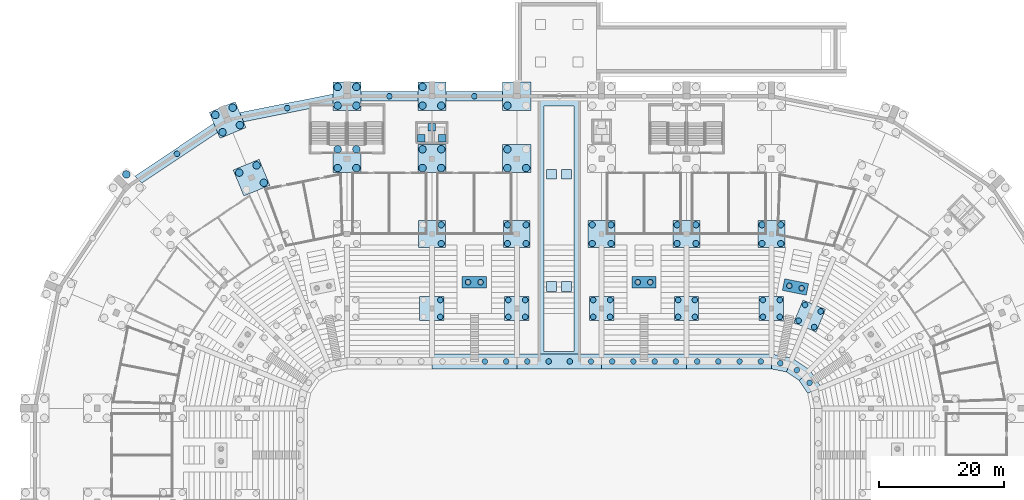
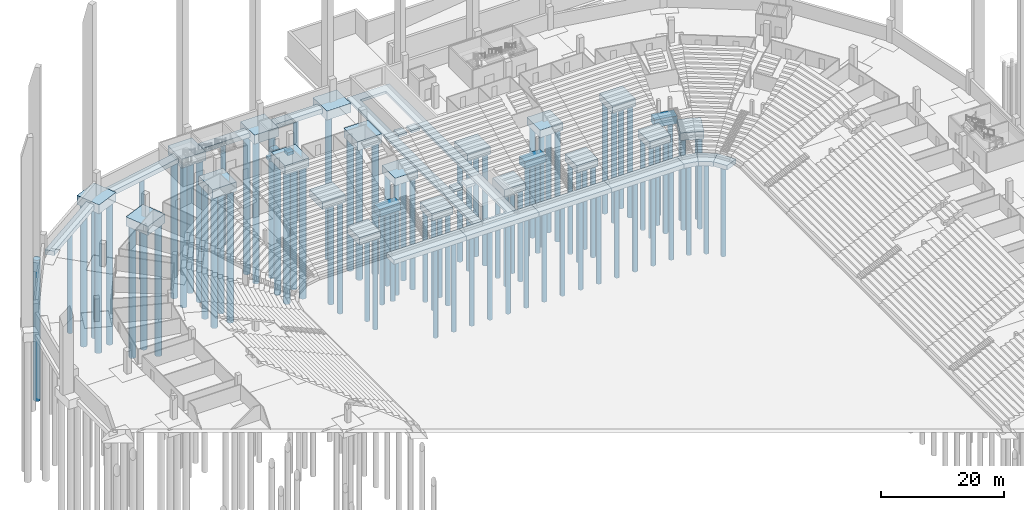
# One storey, part 7 of 115: 94 piles, 41 footings.
"""IFC4 building model written with IfcOpenShell, lengths in metres."""

from ifc_helpers import new_model, si_unit, direction, frame, origin, origin_2d, place, context, subcontext, project, spatial, polyline, rectangle, circle, outline, extrude, material, layer, layer_set, material_profile, profile_set, type_object, element, save


model = new_model("IFC4")

# Units and contexts
model_context = context("Model", 3, precision=1e-05, world=origin(), true_north=direction((0.0, 1.0)))
body_context = subcontext(model_context, "Body", "Model", "MODEL_VIEW")
ifc_project = project(units=[si_unit("LENGTHUNIT", "METRE"), si_unit("AREAUNIT", "SQUARE_METRE"), si_unit("VOLUMEUNIT", "CUBIC_METRE"), si_unit("PLANEANGLEUNIT", "RADIAN"), si_unit("MASSUNIT", "GRAM", prefix="KILO")], contexts=[model_context])

# Site, building, storey
site_placement = place(None, origin())
site = spatial("IfcSite", under=ifc_project, at=site_placement, CompositionType="ELEMENT")
building_placement = place(site_placement, origin())
building = spatial("IfcBuilding", under=site, at=building_placement, Name="Ogive Plaza Stadium", CompositionType="ELEMENT")
storey_placement = place(building_placement, frame((0.0, 0.0, -4.5)))
storey = spatial("IfcBuildingStorey", under=building, at=storey_placement, Name="B1", CompositionType="ELEMENT", Elevation=-4.5)

# Piles
ifc_material_1 = material(Name="Concrete C40/50", Category="concrete")
ifc_material_profile_1 = material_profile(ifc_material_1, circle(Radius=0.5, at=origin_2d()), Name="RC D1000")
ifc_profile_set_1 = profile_set([ifc_material_profile_1], Name="Concrete C40/50")
pile_type_1 = type_object("IfcPileType", Name="Bored pile D1000", PredefinedType="BORED", material=ifc_profile_set_1)
for number, where, z_axis, x_axis, name in (
    (1, (-18.89990234375, 78.89990234375, -1.5), (0.0, 0.0, -1.0), (1.0, 0.0, 0.0), "Bored pile F3:R33 1"),
    (2, (-18.89990234375, 81.89990234375, -1.5), (0.0, 0.0, -1.0), (1.0, 0.0, 0.0), "Bored pile F3:R33 3"),
    (3, (-5.300048828125, 78.89990234375, -1.5), (0.0, 0.0, -1.0), (1.0, 0.0, 0.0), "Bored pile F3:R34 1"),
    (4, (-8.300048828125, 78.89990234375, -1.5), (0.0, 0.0, -1.0), (1.0, 0.0, 0.0), "Bored pile F3:R34 2"),
    (5, (-5.300048828125, 81.89990234375, -1.5), (0.0, 0.0, -1.0), (1.0, 0.0, 0.0), "Bored pile F3:R34 3"),
    (6, (-8.300048828125, 81.89990234375, -1.5), (0.0, 0.0, -1.0), (1.0, 0.0, 0.0), "Bored pile F3:R34 4"),
    (7, (8.300048828125, 78.89990234375, -1.5), (0.0, 0.0, -1.0), (1.0, 0.0, 0.0), "Bored pile F3:R35 1"),
    (8, (5.300048828125, 78.89990234375, -1.5), (0.0, 0.0, -1.0), (1.0, 0.0, 0.0), "Bored pile F3:R35 2"),
    (9, (8.300048828125, 81.89990234375, -1.5), (0.0, 0.0, -1.0), (1.0, 0.0, 0.0), "Bored pile F3:R35 3"),
    (10, (5.300048828125, 81.89990234375, -1.5), (0.0, 0.0, -1.0), (1.0, 0.0, 0.0), "Bored pile F3:R35 4"),
    (11, (21.89990234375, 78.89990234375, -1.5), (0.0, 0.0, -1.0), (1.0, 0.0, 0.0), "Bored pile F3:R36 1"),
    (12, (18.89990234375, 78.89990234375, -1.5), (0.0, 0.0, -1.0), (1.0, 0.0, 0.0), "Bored pile F3:R36 2"),
    (13, (21.89990234375, 81.89990234375, -1.5), (0.0, 0.0, -1.0), (1.0, 0.0, 0.0), "Bored pile F3:R36 3"),
    (14, (18.89990234375, 81.89990234375, -1.5), (0.0, 0.0, -1.0), (1.0, 0.0, 0.0), "Bored pile F3:R36 4"),
    (15, (35.5, 78.89990234375, -1.5), (0.0, 0.0, -1.0), (1.0, 0.0, 0.0), "Bored pile F3:R37 1"),
    (16, (32.5, 78.89990234375, -1.5), (0.0, 0.0, -1.0), (1.0, 0.0, 0.0), "Bored pile F3:R37 2"),
    (17, (35.5, 81.89990234375, -1.5), (0.0, 0.0, -1.0), (1.0, 0.0, 0.0), "Bored pile F3:R37 3"),
    (18, (32.5, 81.89990234375, -1.5), (0.0, 0.0, -1.0), (1.0, 0.0, 0.0), "Bored pile F3:R37 4"),
):
    element("IfcPile", number, at=place(storey_placement, frame(where, z_axis=z_axis, x_axis=x_axis)), inside=storey, type_object=pile_type_1, Name=name, PredefinedType="BORED", context=body_context, shape_type="SweptSolid", body=[
        extrude(circle(Radius=0.5, at=origin_2d()), origin(), (0.0, 0.0, 1.0), 22.0),
    ])
ifc_material_2 = material(Name="Concrete C40/50", Category="concrete")
ifc_material_profile_2 = material_profile(ifc_material_2, circle(Radius=0.60009765625, at=origin_2d()), Name="RC D1200")
ifc_profile_set_2 = profile_set([ifc_material_profile_2], Name="Concrete C40/50")
pile_type_2 = type_object("IfcPileType", Name="Bored pile D1200", PredefinedType="BORED", material=ifc_profile_set_2)
pile_1_placement = place(storey_placement, frame((-69.355224609375, 89.9765625, -1.800048828125), z_axis=(0.0, 0.0, -1.0), x_axis=(1.0, 0.0, 0.0)))
element("IfcPile", 19, at=pile_1_placement, inside=storey, type_object=pile_type_2, Name="Bored pile F5:R30 3", PredefinedType="BORED", context=body_context, shape_type="SweptSolid", body=[
    extrude(circle(Radius=0.60009765625, at=origin_2d()), origin(), (0.0, 0.0, 1.0), 28.0),
])
for number, where, z_axis, x_axis, name in (
    (20, (-47.347412109375, 88.643310546875, -1.800048828125), (0.0, 0.0, -1.0), (1.0, 0.0, 0.0), "Bored pile F4:R31 1"),
    (21, (-48.49560546875, 91.4150390625, -1.800048828125), (0.0, 0.0, -1.0), (1.0, 0.0, 0.0), "Bored pile F4:R31 3"),
    (22, (-51.26708984375, 90.26708984375, -1.800048828125), (0.0, 0.0, -1.0), (1.0, 0.0, 0.0), "Bored pile F4:R31 4"),
):
    element("IfcPile", number, at=place(storey_placement, frame(where, z_axis=z_axis, x_axis=x_axis)), inside=storey, type_object=pile_type_2, Name=name, PredefinedType="BORED", context=body_context, shape_type="SweptSolid", body=[
        extrude(circle(Radius=0.60009765625, at=origin_2d()), origin(), (0.0, 0.0, 1.0), 26.0),
    ])
for number, where, z_axis, x_axis, name in (
    (23, (-51.17431640625, 97.882080078125, -1.800048828125), (0.0, 0.0, -1.0), (1.0, 0.0, 0.0), "Bored pile F5:R31 1"),
    (24, (-53.946044921875, 96.734130859375, -1.800048828125), (0.0, 0.0, -1.0), (1.0, 0.0, 0.0), "Bored pile F5:R31 2"),
    (25, (-52.322265625, 100.65380859375, -1.800048828125), (0.0, 0.0, -1.0), (1.0, 0.0, 0.0), "Bored pile F5:R31 3"),
    (26, (-55.093994140625, 99.505859375, -1.800048828125), (0.0, 0.0, -1.0), (1.0, 0.0, 0.0), "Bored pile F5:R31 4"),
):
    element("IfcPile", number, at=place(storey_placement, frame(where, z_axis=z_axis, x_axis=x_axis)), inside=storey, type_object=pile_type_2, Name=name, PredefinedType="BORED", context=body_context, shape_type="SweptSolid", body=[
        extrude(circle(Radius=0.60009765625, at=origin_2d()), origin(), (0.0, 0.0, 1.0), 28.0),
    ])
for number, where, z_axis, x_axis, name in (
    (27, (-32.5, 91.0, -1.800048828125), (0.0, 0.0, -1.0), (1.0, 0.0, 0.0), "Bored pile F4:R32 1"),
    (28, (-35.5, 91.0, -1.800048828125), (0.0, 0.0, -1.0), (1.0, 0.0, 0.0), "Bored pile F4:R32 2"),
    (29, (-32.5, 94.0, -1.800048828125), (0.0, 0.0, -1.0), (1.0, 0.0, 0.0), "Bored pile F4:R32 3"),
    (30, (-35.5, 94.0, -1.800048828125), (0.0, 0.0, -1.0), (1.0, 0.0, 0.0), "Bored pile F4:R32 4"),
):
    element("IfcPile", number, at=place(storey_placement, frame(where, z_axis=z_axis, x_axis=x_axis)), inside=storey, type_object=pile_type_2, Name=name, PredefinedType="BORED", context=body_context, shape_type="SweptSolid", body=[
        extrude(circle(Radius=0.60009765625, at=origin_2d()), origin(), (0.0, 0.0, 1.0), 26.0),
    ])
for number, where, z_axis, x_axis, name in (
    (31, (-32.5, 101.0, -1.800048828125), (0.0, 0.0, -1.0), (1.0, 0.0, 0.0), "Bored pile F5:R32 1"),
    (32, (-35.5, 101.0, -1.800048828125), (0.0, 0.0, -1.0), (1.0, 0.0, 0.0), "Bored pile F5:R32 2"),
    (33, (-32.5, 104.0, -1.800048828125), (0.0, 0.0, -1.0), (1.0, 0.0, 0.0), "Bored pile F5:R32 3"),
    (34, (-35.5, 104.0, -1.800048828125), (0.0, 0.0, -1.0), (1.0, 0.0, 0.0), "Bored pile F5:R32 4"),
):
    element("IfcPile", number, at=place(storey_placement, frame(where, z_axis=z_axis, x_axis=x_axis)), inside=storey, type_object=pile_type_2, Name=name, PredefinedType="BORED", context=body_context, shape_type="SweptSolid", body=[
        extrude(circle(Radius=0.60009765625, at=origin_2d()), origin(), (0.0, 0.0, 1.0), 28.0),
    ])
for number, where, z_axis, x_axis, name in (
    (35, (-18.89990234375, 91.0, -1.800048828125), (0.0, 0.0, -1.0), (1.0, 0.0, 0.0), "Bored pile F4:R33 1"),
    (36, (-21.89990234375, 91.0, -1.800048828125), (0.0, 0.0, -1.0), (1.0, 0.0, 0.0), "Bored pile F4:R33 2"),
    (37, (-18.89990234375, 94.0, -1.800048828125), (0.0, 0.0, -1.0), (1.0, 0.0, 0.0), "Bored pile F4:R33 3"),
    (38, (-21.89990234375, 94.0, -1.800048828125), (0.0, 0.0, -1.0), (1.0, 0.0, 0.0), "Bored pile F4:R33 4"),
):
    element("IfcPile", number, at=place(storey_placement, frame(where, z_axis=z_axis, x_axis=x_axis)), inside=storey, type_object=pile_type_2, Name=name, PredefinedType="BORED", context=body_context, shape_type="SweptSolid", body=[
        extrude(circle(Radius=0.60009765625, at=origin_2d()), origin(), (0.0, 0.0, 1.0), 26.0),
    ])
for number, where, z_axis, x_axis, name in (
    (39, (-18.89990234375, 101.0, -1.800048828125), (0.0, 0.0, -1.0), (1.0, 0.0, 0.0), "Bored pile F5:R33 1"),
    (40, (-21.89990234375, 101.0, -1.800048828125), (0.0, 0.0, -1.0), (1.0, 0.0, 0.0), "Bored pile F5:R33 2"),
    (41, (-21.89990234375, 104.0, -1.800048828125), (0.0, 0.0, -1.0), (1.0, 0.0, 0.0), "Bored pile F5:R33 4"),
):
    element("IfcPile", number, at=place(storey_placement, frame(where, z_axis=z_axis, x_axis=x_axis)), inside=storey, type_object=pile_type_2, Name=name, PredefinedType="BORED", context=body_context, shape_type="SweptSolid", body=[
        extrude(circle(Radius=0.60009765625, at=origin_2d()), origin(), (0.0, 0.0, 1.0), 28.0),
    ])
for number, where, z_axis, x_axis, name in (
    (42, (-5.300048828125, 91.0, -1.800048828125), (0.0, 0.0, -1.0), (1.0, 0.0, 0.0), "Bored pile F4:R34 1"),
    (43, (-8.300048828125, 91.0, -1.800048828125), (0.0, 0.0, -1.0), (1.0, 0.0, 0.0), "Bored pile F4:R34 2"),
    (44, (-8.300048828125, 94.0, -1.800048828125), (0.0, 0.0, -1.0), (1.0, 0.0, 0.0), "Bored pile F4:R34 4"),
):
    element("IfcPile", number, at=place(storey_placement, frame(where, z_axis=z_axis, x_axis=x_axis)), inside=storey, type_object=pile_type_2, Name=name, PredefinedType="BORED", context=body_context, shape_type="SweptSolid", body=[
        extrude(circle(Radius=0.60009765625, at=origin_2d()), origin(), (0.0, 0.0, 1.0), 26.0),
    ])
pile_2_placement = place(storey_placement, frame((-8.300048828125, 101.0, -1.800048828125), z_axis=(0.0, 0.0, -1.0), x_axis=(1.0, 0.0, 0.0)))
element("IfcPile", 45, at=pile_2_placement, inside=storey, type_object=pile_type_2, Name="Bored pile F5:R34 2", PredefinedType="BORED", context=body_context, shape_type="SweptSolid", body=[
    extrude(circle(Radius=0.60009765625, at=origin_2d()), origin(), (0.0, 0.0, 1.0), 28.0),
])
ifc_material_3 = material(Name="Concrete C40/50", Category="concrete")
ifc_material_profile_3 = material_profile(ifc_material_3, circle(Radius=0.449951171875, at=origin_2d()), Name="RC D900")
ifc_profile_set_3 = profile_set([ifc_material_profile_3], Name="Concrete C40/50")
pile_type_3 = type_object("IfcPileType", Name="Bored pile D900", PredefinedType="BORED", material=ifc_profile_set_3)
for number, where, z_axis, x_axis, name in (
    (46, (-19.050048828125, 67.14990234375, -1.5), (0.0, 0.0, -1.0), (1.0, 0.0, 0.0), "Bored pile F1:R33 1"),
    (47, (-19.050048828125, 69.85009765625, -1.5), (0.0, 0.0, -1.0), (1.0, 0.0, 0.0), "Bored pile F1:R33 3"),
    (48, (-5.449951171875, 67.14990234375, -1.5), (0.0, 0.0, -1.0), (1.0, 0.0, 0.0), "Bored pile F1:R34 1"),
    (49, (-8.14990234375, 67.14990234375, -1.5), (0.0, 0.0, -1.0), (1.0, 0.0, 0.0), "Bored pile F1:R34 2"),
    (50, (-5.449951171875, 69.85009765625, -1.5), (0.0, 0.0, -1.0), (1.0, 0.0, 0.0), "Bored pile F1:R34 3"),
    (51, (-8.14990234375, 69.85009765625, -1.5), (0.0, 0.0, -1.0), (1.0, 0.0, 0.0), "Bored pile F1:R34 4"),
    (52, (8.14990234375, 67.14990234375, -1.5), (0.0, 0.0, -1.0), (1.0, 0.0, 0.0), "Bored pile F1:R35 1"),
    (53, (5.449951171875, 67.14990234375, -1.5), (0.0, 0.0, -1.0), (1.0, 0.0, 0.0), "Bored pile F1:R35 2"),
    (54, (8.14990234375, 69.85009765625, -1.5), (0.0, 0.0, -1.0), (1.0, 0.0, 0.0), "Bored pile F1:R35 3"),
    (55, (5.449951171875, 69.85009765625, -1.5), (0.0, 0.0, -1.0), (1.0, 0.0, 0.0), "Bored pile F1:R35 4"),
    (56, (21.75, 67.14990234375, -1.5), (0.0, 0.0, -1.0), (1.0, 0.0, 0.0), "Bored pile F1:R36 1"),
    (57, (19.050048828125, 67.14990234375, -1.5), (0.0, 0.0, -1.0), (1.0, 0.0, 0.0), "Bored pile F1:R36 2"),
    (58, (21.75, 69.85009765625, -1.5), (0.0, 0.0, -1.0), (1.0, 0.0, 0.0), "Bored pile F1:R36 3"),
    (59, (19.050048828125, 69.85009765625, -1.5), (0.0, 0.0, -1.0), (1.0, 0.0, 0.0), "Bored pile F1:R36 4"),
    (60, (35.35009765625, 67.14990234375, -1.5), (0.0, 0.0, -1.0), (1.0, 0.0, 0.0), "Bored pile F1:R37 1"),
    (61, (32.64990234375, 67.14990234375, -1.5), (0.0, 0.0, -1.0), (1.0, 0.0, 0.0), "Bored pile F1:R37 2"),
    (62, (35.35009765625, 69.85009765625, -1.5), (0.0, 0.0, -1.0), (1.0, 0.0, 0.0), "Bored pile F1:R37 3"),
    (63, (32.64990234375, 69.85009765625, -1.5), (0.0, 0.0, -1.0), (1.0, 0.0, 0.0), "Bored pile F1:R37 4"),
    (64, (40.853515625, 65.518310546875, -1.5), (0.0, 0.0, -1.0), (1.0, 0.0, 0.0), "Bored pile F1:R38 1"),
    (65, (38.359130859375, 66.551513671875, -1.5), (0.0, 0.0, -1.0), (1.0, 0.0, 0.0), "Bored pile F1:R38 2"),
    (66, (41.88671875, 68.0126953125, -1.5), (0.0, 0.0, -1.0), (1.0, 0.0, 0.0), "Bored pile F1:R38 3"),
    (67, (39.392333984375, 69.0458984375, -1.5), (0.0, 0.0, -1.0), (1.0, 0.0, 0.0), "Bored pile F1:R38 4"),
    (68, (-11.89990234375, 60.0, -1.300048828125), (0.0, 0.0, -1.0), (1.0, 0.0, 0.0), "Bored pile F0:B33 3"),
    (69, (-8.5, 60.0, -1.300048828125), (0.0, 0.0, -1.0), (1.0, 0.0, 0.0), "Bored pile F0:B33 4"),
    (70, (-5.10009765625, 60.0, -1.300048828125), (0.0, 0.0, -1.0), (1.0, 0.0, 0.0), "Bored pile F0:B34 1"),
    (71, (-1.699951171875, 60.0, -1.300048828125), (0.0, 0.0, -1.0), (1.0, 0.0, 0.0), "Bored pile F0:B34 2"),
    (72, (1.699951171875, 60.0, -1.300048828125), (0.0, 0.0, -1.0), (1.0, 0.0, 0.0), "Bored pile F0:B34 3"),
    (73, (5.10009765625, 60.0, -1.300048828125), (0.0, 0.0, -1.0), (1.0, 0.0, 0.0), "Bored pile F0:B34 4"),
    (74, (8.5, 60.0, -1.300048828125), (0.0, 0.0, -1.0), (1.0, 0.0, 0.0), "Bored pile F0:B35 1"),
    (75, (11.89990234375, 60.0, -1.300048828125), (0.0, 0.0, -1.0), (1.0, 0.0, 0.0), "Bored pile F0:B35 2"),
    (76, (15.300048828125, 60.0, -1.300048828125), (0.0, 0.0, -1.0), (1.0, 0.0, 0.0), "Bored pile F0:B35 3"),
    (77, (18.699951171875, 60.0, -1.300048828125), (0.0, 0.0, -1.0), (1.0, 0.0, 0.0), "Bored pile F0:B35 4"),
    (78, (22.10009765625, 60.0, -1.300048828125), (0.0, 0.0, -1.0), (1.0, 0.0, 0.0), "Bored pile F0:B36 1"),
    (79, (25.5, 60.0, -1.300048828125), (0.0, 0.0, -1.0), (1.0, 0.0, 0.0), "Bored pile F0:B36 2"),
    (80, (28.89990234375, 60.0, -1.300048828125), (0.0, 0.0, -1.0), (1.0, 0.0, 0.0), "Bored pile F0:B36 3"),
    (81, (32.300048828125, 60.0, -1.300048828125), (0.0, 0.0, -1.0), (1.0, 0.0, 0.0), "Bored pile F0:B36 4"),
    (82, (35.43505859375, 59.714599609375, -1.300048828125), (0.0, 0.0, -1.0), (1.0, 0.0, 0.0), "Bored pile F0:B37 1"),
    (83, (38.086669921875, 58.6162109375, -1.300048828125), (0.0, 0.0, -1.0), (1.0, 0.0, 0.0), "Bored pile F0:B38 1"),
    (84, (40.1162109375, 56.586669921875, -1.300048828125), (0.0, 0.0, -1.0), (1.0, 0.0, 0.0), "Bored pile F0:B39 1"),
):
    element("IfcPile", number, at=place(storey_placement, frame(where, z_axis=z_axis, x_axis=x_axis)), inside=storey, type_object=pile_type_3, Name=name, PredefinedType="BORED", context=body_context, shape_type="SweptSolid", body=[
        extrude(circle(Radius=0.449951171875, at=origin_2d()), origin(), (0.0, 0.0, 1.0), 18.0),
    ])
for number, where, z_axis, x_axis, name in (
    (85, (-61.247802734375, 93.279296875, -1.300048828125), (0.0, 0.0, -1.0), (1.0, 0.0, 0.0), "Bored pile RET:B30 1"),
    (86, (-43.568115234375, 100.602294921875, -1.300048828125), (0.0, 0.0, -1.0), (1.0, 0.0, 0.0), "Bored pile RET:B31 1"),
    (87, (-27.199951171875, 102.5, -1.300048828125), (0.0, 0.0, -1.0), (1.0, 0.0, 0.0), "Bored pile RET:B32 1"),
    (88, (-13.60009765625, 102.5, -1.300048828125), (0.0, 0.0, -1.0), (1.0, 0.0, 0.0), "Bored pile RET:B33 1"),
):
    element("IfcPile", number, at=place(storey_placement, frame(where, z_axis=z_axis, x_axis=x_axis)), inside=storey, type_object=pile_type_3, Name=name, PredefinedType="BORED", context=body_context, shape_type="SweptSolid", body=[
        extrude(circle(Radius=0.449951171875, at=origin_2d()), origin(), (0.0, 0.0, 1.0), 20.0),
    ])
for number, where, z_axis, x_axis, name in (
    (89, (-12.60009765625, 72.699951171875, -1.5), (0.0, 0.0, -1.0), (1.0, 0.0, 0.0), "Bored pile F1V:B33 1"),
    (90, (-14.60009765625, 72.699951171875, -1.5), (0.0, 0.0, -1.0), (1.0, 0.0, 0.0), "Bored pile F1V:B33 2"),
    (91, (14.60009765625, 72.699951171875, -1.5), (0.0, 0.0, -1.0), (1.0, 0.0, 0.0), "Bored pile F1V:B35 1"),
    (92, (12.60009765625, 72.699951171875, -1.5), (0.0, 0.0, -1.0), (1.0, 0.0, 0.0), "Bored pile F1V:B35 2"),
    (93, (38.845947265625, 71.736083984375, -1.5), (0.0, 0.0, -1.0), (1.0, 0.0, 0.0), "Bored pile F1V:B37 1"),
    (94, (36.88427734375, 72.126220703125, -1.5), (0.0, 0.0, -1.0), (1.0, 0.0, 0.0), "Bored pile F1V:B37 2"),
):
    element("IfcPile", number, at=place(storey_placement, frame(where, z_axis=z_axis, x_axis=x_axis)), inside=storey, type_object=pile_type_3, Name=name, PredefinedType="BORED", context=body_context, shape_type="SweptSolid", body=[
        extrude(circle(Radius=0.449951171875, at=origin_2d()), origin(), (0.0, 0.0, 1.0), 18.0),
    ])

# Footings
ifc_material_4 = material(Name="Concrete C40/50", Category="concrete")
ifc_layer_1 = layer(ifc_material_4, 0.60009765625)
ifc_layer_set_1 = layer_set([ifc_layer_1], Name="Concrete C40/50")
footing_type_1 = type_object("IfcFootingType", Name="Lift pit pad 1200x1200", PredefinedType="PAD_FOOTING", material=ifc_layer_set_1)
for number, where, z_axis, x_axis, name in (
    (95, (-18.72509765625, 95.800048828125, -2.2099609375), (0.0, 0.0, 1.0), (0.0, 1.0, 0.0), "Lift pit pad LP33"),
    (96, (-22.074951171875, 95.800048828125, -2.2099609375), (0.0, 0.0, 1.0), (0.0, 1.0, 0.0), "Lift pit pad LP33"),
    (97, (-20.39990234375, 97.5, -2.2099609375), (0.0, 0.0, 1.0), (0.0, 1.0, 0.0), "Lift pit pad LP33"),
):
    element("IfcFooting", number, at=place(storey_placement, frame(where, z_axis=z_axis, x_axis=x_axis)), inside=storey, type_object=footing_type_1, Name=name, PredefinedType="PAD_FOOTING", context=body_context, shape_type="SweptSolid", body=[
        extrude(rectangle(XDim=1.199951171875, YDim=1.199951171875, at=origin_2d()), origin(), (0.0, 0.0, 1.0), 0.60009765625),
    ])
ifc_material_5 = material(Name="Concrete C40/50", Category="concrete")
ifc_layer_2 = layer(ifc_material_5, 1.5)
ifc_layer_set_2 = layer_set([ifc_layer_2], Name="Concrete C40/50")
footing_type_2 = type_object("IfcFootingType", Name="Pile cap F1 3900x1500", PredefinedType="PILE_CAP", material=ifc_layer_set_2)
for number, where, z_axis, x_axis, name in (
    (98, (-20.39990234375, 68.5, -1.5), (0.0, 0.0, 1.0), (0.0, 1.0, 0.0), "Pile cap F1 R33"),
    (99, (-6.800048828125, 68.5, -1.5), (0.0, 0.0, 1.0), (0.0, 1.0, 0.0), "Pile cap F1 R34"),
    (100, (6.800048828125, 68.5, -1.5), (0.0, 0.0, 1.0), (0.0, 1.0, 0.0), "Pile cap F1 R35"),
    (101, (20.39990234375, 68.5, -1.5), (0.0, 0.0, 1.0), (0.0, 1.0, 0.0), "Pile cap F1 R36"),
    (102, (34.0, 68.5, -1.5), (0.0, 0.0, 1.0), (0.0, 1.0, 0.0), "Pile cap F1 R37"),
    (103, (40.123046875, 67.281982421875, -1.5), (0.0, 0.0, 1.0), (0.382683432365, 0.923879532511, 0.0), "Pile cap F1 R38"),
):
    element("IfcFooting", number, at=place(storey_placement, frame(where, z_axis=z_axis, x_axis=x_axis)), inside=storey, type_object=footing_type_2, Name=name, PredefinedType="PILE_CAP", context=body_context, shape_type="SweptSolid", body=[
        extrude(rectangle(XDim=3.89990234375, YDim=3.89990234375, at=origin_2d()), origin(), (0.0, 0.0, 1.0), 1.5),
    ])
ifc_material_6 = material(Name="Concrete C40/50", Category="concrete")
ifc_layer_3 = layer(ifc_material_6, 1.5)
ifc_layer_set_3 = layer_set([ifc_layer_3], Name="Concrete C40/50")
footing_type_3 = type_object("IfcFootingType", Name="Pile cap F1V 1900x3900", PredefinedType="PILE_CAP", material=ifc_layer_set_3)
for number, where, z_axis, x_axis, name in (
    (104, (-13.60009765625, 72.699951171875, -1.5), (0.0, 0.0, 1.0), (0.0, 1.0, 0.0), "Pile cap F1V B33"),
    (105, (13.60009765625, 72.699951171875, -1.5), (0.0, 0.0, 1.0), (0.0, 1.0, 0.0), "Pile cap F1V B35"),
    (106, (37.864990234375, 71.93115234375, -1.5), (0.0, 0.0, 1.0), (0.195090322016, 0.980785280403, 0.0), "Pile cap F1V B37"),
):
    element("IfcFooting", number, at=place(storey_placement, frame(where, z_axis=z_axis, x_axis=x_axis)), inside=storey, type_object=footing_type_3, Name=name, PredefinedType="PILE_CAP", context=body_context, shape_type="SweptSolid", body=[
        extrude(rectangle(XDim=1.89990234375, YDim=3.89990234375, at=origin_2d()), origin(), (0.0, 0.0, 1.0), 1.5),
    ])
ifc_material_7 = material(Name="Concrete C40/50", Category="concrete")
ifc_layer_4 = layer(ifc_material_7, 1.5)
ifc_layer_set_4 = layer_set([ifc_layer_4], Name="Concrete C40/50")
footing_type_4 = type_object("IfcFootingType", Name="Pile cap F3 4300x1500", PredefinedType="PILE_CAP", material=ifc_layer_set_4)
for number, where, z_axis, x_axis, name in (
    (107, (-20.39990234375, 80.39990234375, -1.5), (0.0, 0.0, 1.0), (0.0, 1.0, 0.0), "Pile cap F3 R33"),
    (108, (-6.800048828125, 80.39990234375, -1.5), (0.0, 0.0, 1.0), (0.0, 1.0, 0.0), "Pile cap F3 R34"),
    (109, (6.800048828125, 80.39990234375, -1.5), (0.0, 0.0, 1.0), (0.0, 1.0, 0.0), "Pile cap F3 R35"),
    (110, (20.39990234375, 80.39990234375, -1.5), (0.0, 0.0, 1.0), (0.0, 1.0, 0.0), "Pile cap F3 R36"),
    (111, (34.0, 80.39990234375, -1.5), (0.0, 0.0, 1.0), (0.0, 1.0, 0.0), "Pile cap F3 R37"),
):
    element("IfcFooting", number, at=place(storey_placement, frame(where, z_axis=z_axis, x_axis=x_axis)), inside=storey, type_object=footing_type_4, Name=name, PredefinedType="PILE_CAP", context=body_context, shape_type="SweptSolid", body=[
        extrude(rectangle(XDim=4.300048828125, YDim=4.300048828125, at=origin_2d()), origin(), (0.0, 0.0, 1.0), 1.5),
    ])
ifc_material_8 = material(Name="Concrete C40/50", Category="concrete")
ifc_layer_5 = layer(ifc_material_8, 1.800048828125)
ifc_layer_set_5 = layer_set([ifc_layer_5], Name="Concrete C40/50")
footing_type_5 = type_object("IfcFootingType", Name="Pile cap F4 4500x1800", PredefinedType="PILE_CAP", material=ifc_layer_set_5)
for number, where, z_axis, x_axis, name in (
    (112, (-49.307373046875, 89.455078125, -1.7998046875), (0.0, 0.0, 1.0), (-0.382683432365, 0.923879532511, 0.0), "Pile cap F4 R31"),
    (113, (-34.0, 92.5, -1.7998046875), (0.0, 0.0, 1.0), (0.0, 1.0, 0.0), "Pile cap F4 R32"),
    (114, (-20.39990234375, 92.5, -1.7998046875), (0.0, 0.0, 1.0), (0.0, 1.0, 0.0), "Pile cap F4 R33"),
    (115, (-6.800048828125, 92.5, -1.7998046875), (0.0, 0.0, 1.0), (0.0, 1.0, 0.0), "Pile cap F4 R34"),
):
    element("IfcFooting", number, at=place(storey_placement, frame(where, z_axis=z_axis, x_axis=x_axis)), inside=storey, type_object=footing_type_5, Name=name, PredefinedType="PILE_CAP", context=body_context, shape_type="SweptSolid", body=[
        extrude(rectangle(XDim=4.5, YDim=4.5, at=origin_2d()), origin(), (0.0, 0.0, 1.0), 1.800048828125),
    ])
ifc_material_9 = material(Name="Concrete C40/50", Category="concrete")
ifc_layer_6 = layer(ifc_material_9, 1.800048828125)
ifc_layer_set_6 = layer_set([ifc_layer_6], Name="Concrete C40/50")
footing_type_6 = type_object("IfcFootingType", Name="Pile cap F5 4500x1800", PredefinedType="PILE_CAP", material=ifc_layer_set_6)
for number, where, z_axis, x_axis, name in (
    (116, (-53.13427734375, 98.694091796875, -1.7998046875), (0.0, 0.0, 1.0), (-0.382683432365, 0.923879532511, 0.0), "Pile cap F5 R31"),
    (117, (-34.0, 102.5, -1.7998046875), (0.0, 0.0, 1.0), (0.0, 1.0, 0.0), "Pile cap F5 R32"),
    (118, (-20.39990234375, 102.5, -1.7998046875), (0.0, 0.0, 1.0), (0.0, 1.0, 0.0), "Pile cap F5 R33"),
    (119, (-6.800048828125, 102.5, -1.7998046875), (0.0, 0.0, 1.0), (0.0, 1.0, 0.0), "Pile cap F5 R34"),
):
    element("IfcFooting", number, at=place(storey_placement, frame(where, z_axis=z_axis, x_axis=x_axis)), inside=storey, type_object=footing_type_6, Name=name, PredefinedType="PILE_CAP", context=body_context, shape_type="SweptSolid", body=[
        extrude(rectangle(XDim=4.5, YDim=4.5, at=origin_2d()), origin(), (0.0, 0.0, 1.0), 1.800048828125),
    ])
ifc_material_10 = material(Name="Concrete C35/45", Category="concrete")
footing_type_7 = type_object("IfcFootingType", Name="Retaining wall footing 1600", PredefinedType="STRIP_FOOTING", material=ifc_material_10)
footing_1_placement = place(storey_placement, frame((0.0, 0.0, -0.949951171875)))
element("IfcFooting", 120, at=footing_1_placement, inside=storey, type_object=footing_type_7, Name="Tunnel floor footing", PredefinedType="STRIP_FOOTING", context=body_context, shape_type="SweptSolid", body=[
    extrude(outline(polyline([(-2.39990234375, 60.0), (-4.0, 60.0), (-4.0, 102.5), (-2.39990234375, 102.5), (2.39990234375, 102.5), (4.0, 102.5), (4.0, 60.0), (2.39990234375, 60.0), (-2.39990234375, 60.0)]), holes=[polyline([(-2.39990234375, 61.60009765625), (2.39990234375, 61.60009765625), (2.39990234375, 100.89990234375), (-2.39990234375, 100.89990234375), (-2.39990234375, 61.60009765625)])]), origin(), (0.0, 0.0, 1.0), 0.5),
])
ifc_material_11 = material(Name="Concrete C40/50", Category="concrete")
ifc_layer_7 = layer(ifc_material_11, 0.89990234375)
ifc_layer_set_7 = layer_set([ifc_layer_7], Name="Concrete C40/50")
footing_type_8 = type_object("IfcFootingType", Name="Strip footing F0 900", PredefinedType="STRIP_FOOTING", material=ifc_layer_set_7)
footing_2_placement = place(storey_placement, frame((0.0, 0.0, -1.300048828125)))
element("IfcFooting", 121, at=footing_2_placement, inside=storey, type_object=footing_type_8, Name="Strip footing F0 B33", PredefinedType="STRIP_FOOTING", context=body_context, shape_type="SweptSolid", body=[
    extrude(outline(polyline([(-6.800048828125, 58.800048828125), (-6.800048828125, 61.199951171875), (-20.39990234375, 61.199951171875), (-20.39990234375, 58.800048828125), (-6.800048828125, 58.800048828125)])), origin(), (0.0, 0.0, 1.0), 0.900146484375),
])
footing_3_placement = place(storey_placement, frame((0.0, 0.0, -1.300048828125)))
element("IfcFooting", 122, at=footing_3_placement, inside=storey, type_object=footing_type_8, Name="Strip footing F0 B34", PredefinedType="STRIP_FOOTING", context=body_context, shape_type="SweptSolid", body=[
    extrude(outline(polyline([(6.800048828125, 58.800048828125), (6.800048828125, 61.199951171875), (-6.800048828125, 61.199951171875), (-6.800048828125, 58.800048828125), (6.800048828125, 58.800048828125)])), origin(), (0.0, 0.0, 1.0), 0.900146484375),
])
footing_4_placement = place(storey_placement, frame((0.0, 0.0, -1.300048828125)))
element("IfcFooting", 123, at=footing_4_placement, inside=storey, type_object=footing_type_8, Name="Strip footing F0 B35", PredefinedType="STRIP_FOOTING", context=body_context, shape_type="SweptSolid", body=[
    extrude(outline(polyline([(20.39990234375, 58.800048828125), (20.39990234375, 61.199951171875), (6.800048828125, 61.199951171875), (6.800048828125, 58.800048828125), (20.39990234375, 58.800048828125)])), origin(), (0.0, 0.0, 1.0), 0.900146484375),
])
footing_5_placement = place(storey_placement, frame((0.0, 0.0, -1.300048828125)))
element("IfcFooting", 124, at=footing_5_placement, inside=storey, type_object=footing_type_8, Name="Strip footing F0 B36", PredefinedType="STRIP_FOOTING", context=body_context, shape_type="SweptSolid", body=[
    extrude(outline(polyline([(34.0, 58.800048828125), (34.0, 61.199951171875), (20.39990234375, 61.199951171875), (20.39990234375, 58.800048828125), (34.0, 58.800048828125)])), origin(), (0.0, 0.0, 1.0), 0.900146484375),
])
footing_6_placement = place(storey_placement, frame((0.0, 0.0, -1.300048828125)))
element("IfcFooting", 125, at=footing_6_placement, inside=storey, type_object=footing_type_8, Name="Strip footing F0 B37", PredefinedType="STRIP_FOOTING", context=body_context, shape_type="SweptSolid", body=[
    extrude(outline(polyline([(36.410888671875, 58.320556640625), (37.329345703125, 60.537841796875), (34.0, 61.199951171875), (34.0, 58.800048828125), (36.410888671875, 58.320556640625)])), origin(), (0.0, 0.0, 1.0), 0.900146484375),
])
footing_7_placement = place(storey_placement, frame((0.0, 0.0, -1.300048828125)))
element("IfcFooting", 126, at=footing_7_placement, inside=storey, type_object=footing_type_8, Name="Strip footing F0 B38", PredefinedType="STRIP_FOOTING", context=body_context, shape_type="SweptSolid", body=[
    extrude(outline(polyline([(38.454833984375, 56.954833984375), (40.15185546875, 58.65185546875), (37.329345703125, 60.537841796875), (36.410888671875, 58.320556640625), (38.454833984375, 56.954833984375)])), origin(), (0.0, 0.0, 1.0), 0.900146484375),
])
footing_8_placement = place(storey_placement, frame((0.0, 0.0, -1.300048828125)))
element("IfcFooting", 127, at=footing_8_placement, inside=storey, type_object=footing_type_8, Name="Strip footing F0 B39", PredefinedType="STRIP_FOOTING", context=body_context, shape_type="SweptSolid", body=[
    extrude(outline(polyline([(39.820556640625, 54.910888671875), (42.037841796875, 55.829345703125), (40.15185546875, 58.65185546875), (38.454833984375, 56.954833984375), (39.820556640625, 54.910888671875)])), origin(), (0.0, 0.0, 1.0), 0.900146484375),
])
ifc_material_12 = material(Name="Concrete C40/50", Category="concrete")
ifc_layer_8 = layer(ifc_material_12, 0.89990234375)
ifc_layer_set_8 = layer_set([ifc_layer_8], Name="Concrete C40/50")
footing_type_9 = type_object("IfcFootingType", Name="Strip footing RET 900", PredefinedType="STRIP_FOOTING", material=ifc_layer_set_8)
footing_9_placement = place(storey_placement, frame((0.0, 0.0, -1.300048828125)))
element("IfcFooting", 128, at=footing_9_placement, inside=storey, type_object=footing_type_9, Name="Strip footing retaining wall B30", PredefinedType="STRIP_FOOTING", context=body_context, shape_type="SweptSolid", body=[
    extrude(outline(polyline([(-54.735595703125, 96.680419921875), (-55.34765625, 98.158447265625), (-68.013671875, 89.695556640625), (-66.882080078125, 88.564208984375), (-54.735595703125, 96.680419921875)])), origin(), (0.0, 0.0, 1.0), 0.900146484375),
])
footing_10_placement = place(storey_placement, frame((0.0, 0.0, -1.300048828125)))
element("IfcFooting", 129, at=footing_10_placement, inside=storey, type_object=footing_type_9, Name="Strip footing retaining wall B31", PredefinedType="STRIP_FOOTING", context=body_context, shape_type="SweptSolid", body=[
    extrude(outline(polyline([(-36.25, 101.25244140625), (-36.25, 102.8525390625), (-51.1904296875, 99.880615234375), (-50.578125, 98.40234375), (-36.25, 101.25244140625)])), origin(), (0.0, 0.0, 1.0), 0.900146484375),
])
footing_11_placement = place(storey_placement, frame((0.0, 0.0, -1.300048828125)))
element("IfcFooting", 130, at=footing_11_placement, inside=storey, type_object=footing_type_9, Name="Strip footing retaining wall B32", PredefinedType="STRIP_FOOTING", context=body_context, shape_type="SweptSolid", body=[
    extrude(outline(polyline([(-22.64990234375, 101.699951171875), (-22.64990234375, 103.300048828125), (-31.75, 103.300048828125), (-31.75, 101.699951171875), (-22.64990234375, 101.699951171875)])), origin(), (0.0, 0.0, 1.0), 0.900146484375),
])
footing_12_placement = place(storey_placement, frame((0.0, 0.0, -1.300048828125)))
element("IfcFooting", 131, at=footing_12_placement, inside=storey, type_object=footing_type_9, Name="Strip footing retaining wall B33", PredefinedType="STRIP_FOOTING", context=body_context, shape_type="SweptSolid", body=[
    extrude(outline(polyline([(-9.050048828125, 101.699951171875), (-9.050048828125, 103.300048828125), (-18.14990234375, 103.300048828125), (-18.14990234375, 101.699951171875), (-9.050048828125, 101.699951171875)])), origin(), (0.0, 0.0, 1.0), 0.900146484375),
])
ifc_material_13 = material(Name="Concrete C35/45", Category="concrete")
footing_type_10 = type_object("IfcFootingType", Name="Yard bearing pad 1600", PredefinedType="PAD_FOOTING", material=ifc_material_13)
footing_13_placement = place(storey_placement, frame((0.0, 0.0, -0.949951171875)))
element("IfcFooting", 132, at=footing_13_placement, inside=storey, type_object=footing_type_10, Name="Tunnel bearing pad 1", PredefinedType="PAD_FOOTING", context=body_context, shape_type="SweptSolid", body=[
    extrude(outline(polyline([(-2.0, 71.199951171875), (-0.39990234375, 71.199951171875), (-0.39990234375, 72.800048828125), (-2.0, 72.800048828125), (-2.0, 71.199951171875)])), origin(), (0.0, 0.0, 1.0), 0.5),
])
footing_14_placement = place(storey_placement, frame((0.0, 0.0, -0.949951171875)))
element("IfcFooting", 133, at=footing_14_placement, inside=storey, type_object=footing_type_10, Name="Tunnel bearing pad 2", PredefinedType="PAD_FOOTING", context=body_context, shape_type="SweptSolid", body=[
    extrude(outline(polyline([(0.39990234375, 71.199951171875), (2.0, 71.199951171875), (2.0, 72.800048828125), (0.39990234375, 72.800048828125), (0.39990234375, 71.199951171875)])), origin(), (0.0, 0.0, 1.0), 0.5),
])
footing_15_placement = place(storey_placement, frame((0.0, 0.0, -0.949951171875)))
element("IfcFooting", 134, at=footing_15_placement, inside=storey, type_object=footing_type_10, Name="Tunnel bearing pad 3", PredefinedType="PAD_FOOTING", context=body_context, shape_type="SweptSolid", body=[
    extrude(outline(polyline([(-2.0, 89.199951171875), (-0.39990234375, 89.199951171875), (-0.39990234375, 90.800048828125), (-2.0, 90.800048828125), (-2.0, 89.199951171875)])), origin(), (0.0, 0.0, 1.0), 0.5),
])
footing_16_placement = place(storey_placement, frame((0.0, 0.0, -0.949951171875)))
element("IfcFooting", 135, at=footing_16_placement, inside=storey, type_object=footing_type_10, Name="Tunnel bearing pad 4", PredefinedType="PAD_FOOTING", context=body_context, shape_type="SweptSolid", body=[
    extrude(outline(polyline([(0.39990234375, 89.199951171875), (2.0, 89.199951171875), (2.0, 90.800048828125), (0.39990234375, 90.800048828125), (0.39990234375, 89.199951171875)])), origin(), (0.0, 0.0, 1.0), 0.5),
])

save(model, "model.ifc")
